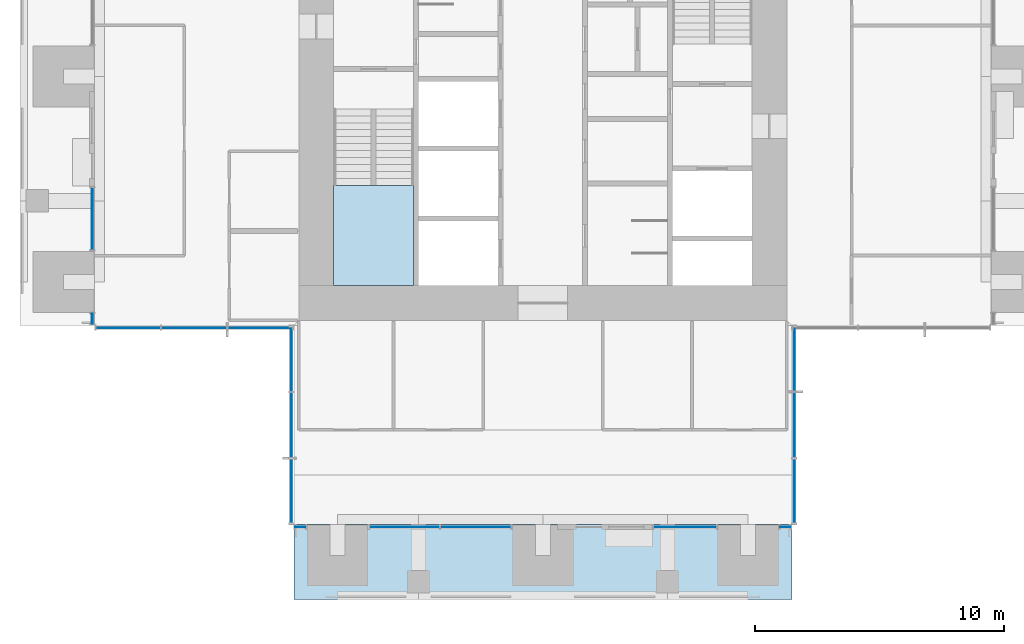
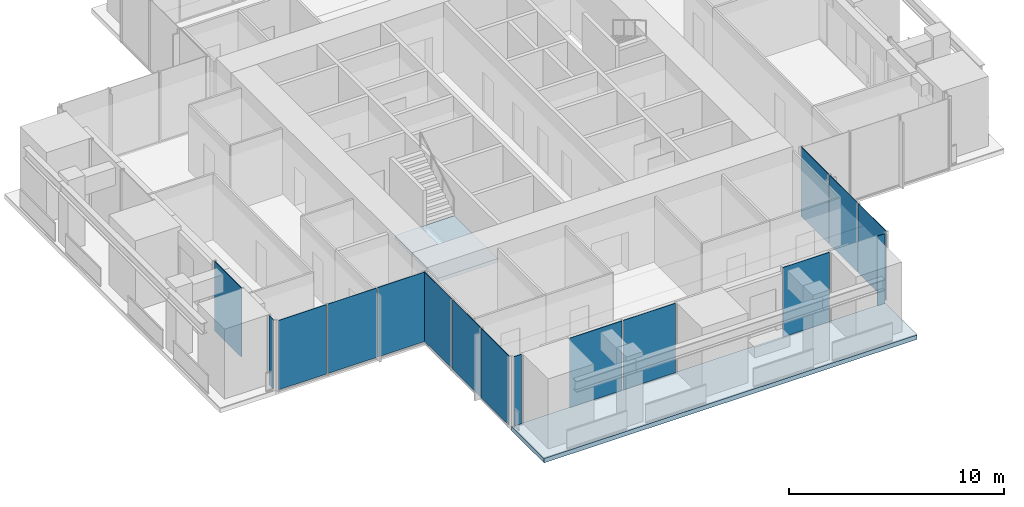
# One storey, part 7 of 17: 16 plates, 2 slabs, 10 elements without a shape of their own.
"""IFC4 building model written with IfcOpenShell, lengths in metres."""

from ifc_helpers import new_model, si_unit, direction, frame, origin, origin_2d, place, context, subcontext, project, spatial, polyline, rectangle, outline, extrude, material, layer, layer_set, type_object, element, aggregate, save


model = new_model("IFC4")

# Units and contexts
model_context = context("Model", 3, precision=1e-05, world=origin(), true_north=direction((0.0, 1.0)))
body_context = subcontext(model_context, "Body", "Model", "MODEL_VIEW")
ifc_project = project(units=[si_unit("LENGTHUNIT", "METRE"), si_unit("AREAUNIT", "SQUARE_METRE"), si_unit("VOLUMEUNIT", "CUBIC_METRE"), si_unit("PLANEANGLEUNIT", "RADIAN"), si_unit("MASSUNIT", "GRAM", prefix="KILO")], contexts=[model_context])

# Site, building, storey
site_placement = place(None, origin())
site = spatial("IfcSite", under=ifc_project, at=site_placement, CompositionType="ELEMENT")
building_placement = place(site_placement, origin())
building = spatial("IfcBuilding", under=site, at=building_placement, Name="Svetlomir Tower", CompositionType="ELEMENT")
storey_placement = place(building_placement, frame((0.0, 0.0, 202.5)))
storey = spatial("IfcBuildingStorey", under=building, at=storey_placement, Name="L48", CompositionType="ELEMENT", Elevation=202.5)

# Curtain wall, plate
ifc_material_1 = material(Name="Bronze anodised aluminium curtain wall", Category="aluminium")
curtain_wall_type = type_object("IfcCurtainWallType", Name="CURTAIN WALL CW1 TOWER OFFICE", PredefinedType="NOTDEFINED", material=ifc_material_1)
curtain_wall_1_placement = place(storey_placement, origin())
curtain_wall_1 = element("IfcCurtainWall", 1, at=curtain_wall_1_placement, inside=storey, type_object=curtain_wall_type, Name="Curtain wall CW1 L48", PredefinedType="NOTDEFINED")
ifc_material_2 = material(Name="Tinted double glazed unit", Category="glass")
ifc_layer_1 = layer(ifc_material_2, 0.031982421875)
ifc_layer_set_1 = layer_set([ifc_layer_1], Name="Tinted double glazed unit")
plate_type = type_object("IfcPlateType", Name="CW1 GLAZED PANEL 32", PredefinedType="CURTAIN_PANEL", material=ifc_layer_set_1)
plate_1_placement = place(storey_placement, frame((11.262451171875, 2.89990234375, 0.06494140625), z_axis=(0.0, 0.0, 1.0), x_axis=(1.0, 0.0, 0.0)))
plate_1 = element("IfcPlate", 2, at=plate_1_placement, type_object=plate_type, Name="CW1 panel 1.1", PredefinedType="CURTAIN_PANEL", context=body_context, shape_type="SweptSolid", body=[
    extrude(rectangle(XDim=0.39501953125, YDim=0.031982421875, at=origin_2d()), origin(), (0.0, 0.0, 1.0), 3.93505859375),
])
aggregate(curtain_wall_1, [plate_1])

# Curtain wall, plates
curtain_wall_2_placement = place(storey_placement, origin())
curtain_wall_2 = element("IfcCurtainWall", 3, at=curtain_wall_2_placement, inside=storey, type_object=curtain_wall_type, Name="Curtain wall CW1 L48", PredefinedType="NOTDEFINED")
plate_2_placement = place(storey_placement, frame((15.441162109375, 2.89990234375, 0.06494140625), z_axis=(0.0, 0.0, 1.0), x_axis=(1.0, 0.0, 0.0)))
plate_2 = element("IfcPlate", 4, at=plate_2_placement, type_object=plate_type, Name="CW1 panel 1.1", PredefinedType="CURTAIN_PANEL", context=body_context, shape_type="SweptSolid", body=[
    extrude(rectangle(XDim=2.802490234375, YDim=0.031982421875, at=origin_2d()), origin(), (0.0, 0.0, 1.0), 3.93505859375),
])
plate_3_placement = place(storey_placement, frame((18.308837890625, 2.89990234375, 0.06494140625), z_axis=(0.0, 0.0, 1.0), x_axis=(1.0, 0.0, 0.0)))
plate_3 = element("IfcPlate", 5, at=plate_3_placement, type_object=plate_type, Name="CW1 panel 2.1", PredefinedType="CURTAIN_PANEL", context=body_context, shape_type="SweptSolid", body=[
    extrude(rectangle(XDim=2.802490234375, YDim=0.031982421875, at=origin_2d()), origin(), (0.0, 0.0, 1.0), 3.93505859375),
])
aggregate(curtain_wall_2, [plate_2, plate_3])

# Curtain wall, plate
curtain_wall_3_placement = place(storey_placement, origin())
curtain_wall_3 = element("IfcCurtainWall", 6, at=curtain_wall_3_placement, inside=storey, type_object=curtain_wall_type, Name="Curtain wall CW1 L48", PredefinedType="NOTDEFINED")
plate_4_placement = place(storey_placement, frame((26.71240234375, 2.89990234375, 0.06494140625), z_axis=(0.0, 0.0, 1.0), x_axis=(1.0, 0.0, 0.0)))
plate_4 = element("IfcPlate", 7, at=plate_4_placement, type_object=plate_type, Name="CW1 panel 1.1", PredefinedType="CURTAIN_PANEL", context=body_context, shape_type="SweptSolid", body=[
    extrude(rectangle(XDim=2.4951171875, YDim=0.031982421875, at=origin_2d()), origin(), (0.0, 0.0, 1.0), 3.93505859375),
])
aggregate(curtain_wall_3, [plate_4])

curtain_wall_4_placement = place(storey_placement, origin())
curtain_wall_4 = element("IfcCurtainWall", 8, at=curtain_wall_4_placement, inside=storey, type_object=curtain_wall_type, Name="Curtain wall CW1 L48", PredefinedType="NOTDEFINED")
plate_5_placement = place(storey_placement, frame((30.737548828125, 2.89990234375, 0.06494140625), z_axis=(0.0, 0.0, 1.0), x_axis=(1.0, 0.0, 0.0)))
plate_5 = element("IfcPlate", 9, at=plate_5_placement, type_object=plate_type, Name="CW1 panel 1.1", PredefinedType="CURTAIN_PANEL", context=body_context, shape_type="SweptSolid", body=[
    extrude(rectangle(XDim=0.39501953125, YDim=0.031982421875, at=origin_2d()), origin(), (0.0, 0.0, 1.0), 3.93505859375),
])
aggregate(curtain_wall_4, [plate_5])

# Curtain wall, plates
curtain_wall_5_placement = place(storey_placement, origin())
curtain_wall_5 = element("IfcCurtainWall", 10, at=curtain_wall_5_placement, inside=storey, type_object=curtain_wall_type, Name="Curtain wall CW1 L48", PredefinedType="NOTDEFINED")
plate_6_placement = place(storey_placement, frame((31.10009765625, 4.349609375, 0.06494140625), z_axis=(0.0, 0.0, 1.0), x_axis=(0.0, 1.0, 0.0)))
plate_6 = element("IfcPlate", 11, at=plate_6_placement, type_object=plate_type, Name="CW1 panel 1.1", PredefinedType="CURTAIN_PANEL", context=body_context, shape_type="SweptSolid", body=[
    extrude(rectangle(XDim=2.569091796875, YDim=0.031982421875, at=origin_2d()), origin(), (0.0, 0.0, 1.0), 3.93505859375),
])
plate_7_placement = place(storey_placement, frame((31.10009765625, 7.0, 0.06494140625), z_axis=(0.0, 0.0, 1.0), x_axis=(0.0, 1.0, 0.0)))
plate_7 = element("IfcPlate", 12, at=plate_7_placement, type_object=plate_type, Name="CW1 panel 2.1", PredefinedType="CURTAIN_PANEL", context=body_context, shape_type="SweptSolid", body=[
    extrude(rectangle(XDim=2.6015625, YDim=0.031982421875, at=origin_2d()), origin(), (0.0, 0.0, 1.0), 3.93505859375),
])
plate_8_placement = place(storey_placement, frame((31.10009765625, 9.650390625, 0.06494140625), z_axis=(0.0, 0.0, 1.0), x_axis=(0.0, 1.0, 0.0)))
plate_8 = element("IfcPlate", 13, at=plate_8_placement, type_object=plate_type, Name="CW1 panel 3.1", PredefinedType="CURTAIN_PANEL", context=body_context, shape_type="SweptSolid", body=[
    extrude(rectangle(XDim=2.569091796875, YDim=0.031982421875, at=origin_2d()), origin(), (0.0, 0.0, 1.0), 3.93505859375),
])
aggregate(curtain_wall_5, [plate_6, plate_7, plate_8])

# Curtain wall, plate
curtain_wall_6_placement = place(storey_placement, origin())
curtain_wall_6 = element("IfcCurtainWall", 14, at=curtain_wall_6_placement, inside=storey, type_object=curtain_wall_type, Name="Curtain wall CW1 L48", PredefinedType="NOTDEFINED")
plate_9_placement = place(storey_placement, frame((2.89990234375, 15.28759765625, 0.06494140625), z_axis=(0.0, 0.0, 1.0), x_axis=(0.0, -1.0, 0.0)))
plate_9 = element("IfcPlate", 15, at=plate_9_placement, type_object=plate_type, Name="CW1 panel 1.1", PredefinedType="CURTAIN_PANEL", context=body_context, shape_type="SweptSolid", body=[
    extrude(rectangle(XDim=2.4951171875, YDim=0.031982421875, at=origin_2d()), origin(), (0.0, 0.0, 1.0), 3.93505859375),
])
aggregate(curtain_wall_6, [plate_9])

curtain_wall_7_placement = place(storey_placement, origin())
curtain_wall_7 = element("IfcCurtainWall", 16, at=curtain_wall_7_placement, inside=storey, type_object=curtain_wall_type, Name="Curtain wall CW1 L48", PredefinedType="NOTDEFINED")
plate_10_placement = place(storey_placement, frame((2.89990234375, 11.262451171875, 0.06494140625), z_axis=(0.0, 0.0, 1.0), x_axis=(0.0, -1.0, 0.0)))
plate_10 = element("IfcPlate", 17, at=plate_10_placement, type_object=plate_type, Name="CW1 panel 1.1", PredefinedType="CURTAIN_PANEL", context=body_context, shape_type="SweptSolid", body=[
    extrude(rectangle(XDim=0.39501953125, YDim=0.031982421875, at=origin_2d()), origin(), (0.0, 0.0, 1.0), 3.93505859375),
])
aggregate(curtain_wall_7, [plate_10])

# Curtain wall, plates
curtain_wall_8_placement = place(storey_placement, origin())
curtain_wall_8 = element("IfcCurtainWall", 18, at=curtain_wall_8_placement, inside=storey, type_object=curtain_wall_type, Name="Curtain wall CW1 L48", PredefinedType="NOTDEFINED")
plate_11_placement = place(storey_placement, frame((4.349609375, 10.89990234375, 0.06494140625), z_axis=(0.0, 0.0, 1.0), x_axis=(1.0, 0.0, 0.0)))
plate_11 = element("IfcPlate", 19, at=plate_11_placement, type_object=plate_type, Name="CW1 panel 1.1", PredefinedType="CURTAIN_PANEL", context=body_context, shape_type="SweptSolid", body=[
    extrude(rectangle(XDim=2.569091796875, YDim=0.031982421875, at=origin_2d()), origin(), (0.0, 0.0, 1.0), 3.93505859375),
])
plate_12_placement = place(storey_placement, frame((7.0, 10.89990234375, 0.06494140625), z_axis=(0.0, 0.0, 1.0), x_axis=(1.0, 0.0, 0.0)))
plate_12 = element("IfcPlate", 20, at=plate_12_placement, type_object=plate_type, Name="CW1 panel 2.1", PredefinedType="CURTAIN_PANEL", context=body_context, shape_type="SweptSolid", body=[
    extrude(rectangle(XDim=2.6015625, YDim=0.031982421875, at=origin_2d()), origin(), (0.0, 0.0, 1.0), 3.93505859375),
])
plate_13_placement = place(storey_placement, frame((9.650390625, 10.89990234375, 0.06494140625), z_axis=(0.0, 0.0, 1.0), x_axis=(1.0, 0.0, 0.0)))
plate_13 = element("IfcPlate", 21, at=plate_13_placement, type_object=plate_type, Name="CW1 panel 3.1", PredefinedType="CURTAIN_PANEL", context=body_context, shape_type="SweptSolid", body=[
    extrude(rectangle(XDim=2.569091796875, YDim=0.031982421875, at=origin_2d()), origin(), (0.0, 0.0, 1.0), 3.93505859375),
])
aggregate(curtain_wall_8, [plate_11, plate_12, plate_13])

curtain_wall_9_placement = place(storey_placement, origin())
curtain_wall_9 = element("IfcCurtainWall", 22, at=curtain_wall_9_placement, inside=storey, type_object=curtain_wall_type, Name="Curtain wall CW1 L48", PredefinedType="NOTDEFINED")
plate_14_placement = place(storey_placement, frame((10.89990234375, 9.650390625, 0.06494140625), z_axis=(0.0, 0.0, 1.0), x_axis=(0.0, -1.0, 0.0)))
plate_14 = element("IfcPlate", 23, at=plate_14_placement, type_object=plate_type, Name="CW1 panel 1.1", PredefinedType="CURTAIN_PANEL", context=body_context, shape_type="SweptSolid", body=[
    extrude(rectangle(XDim=2.569091796875, YDim=0.031982421875, at=origin_2d()), origin(), (0.0, 0.0, 1.0), 3.93505859375),
])
plate_15_placement = place(storey_placement, frame((10.89990234375, 7.0, 0.06494140625), z_axis=(0.0, 0.0, 1.0), x_axis=(0.0, -1.0, 0.0)))
plate_15 = element("IfcPlate", 24, at=plate_15_placement, type_object=plate_type, Name="CW1 panel 2.1", PredefinedType="CURTAIN_PANEL", context=body_context, shape_type="SweptSolid", body=[
    extrude(rectangle(XDim=2.6015625, YDim=0.031982421875, at=origin_2d()), origin(), (0.0, 0.0, 1.0), 3.93505859375),
])
plate_16_placement = place(storey_placement, frame((10.89990234375, 4.349609375, 0.06494140625), z_axis=(0.0, 0.0, 1.0), x_axis=(0.0, -1.0, 0.0)))
plate_16 = element("IfcPlate", 25, at=plate_16_placement, type_object=plate_type, Name="CW1 panel 3.1", PredefinedType="CURTAIN_PANEL", context=body_context, shape_type="SweptSolid", body=[
    extrude(rectangle(XDim=2.569091796875, YDim=0.031982421875, at=origin_2d()), origin(), (0.0, 0.0, 1.0), 3.93505859375),
])
aggregate(curtain_wall_9, [plate_14, plate_15, plate_16])

# Slab
ifc_material_3 = material(Name="Concrete C60/75", Category="concrete")
ifc_layer_2 = layer(ifc_material_3, 0.25)
ifc_layer_set_2 = layer_set([ifc_layer_2], Name="Concrete C60/75")
slab_type_1 = type_object("IfcSlabType", Name="PLANTED LOGGIA SLAB 250", PredefinedType="FLOOR", material=ifc_layer_set_2)
slab_1_placement = place(storey_placement, frame((0.0, 0.0, -0.25)))
element("IfcSlab", 26, at=slab_1_placement, inside=storey, type_object=slab_type_1, Name="L48 S planted loggia", PredefinedType="FLOOR", context=body_context, shape_type="SweptSolid", body=[
    extrude(outline(polyline([(11.0, 0.0), (31.0, 0.0), (31.0, 3.0), (11.0, 3.0), (11.0, 0.0)])), origin(), (0.0, 0.0, 1.0), 0.25),
])

# Stair, slab
ifc_material_4 = material(Name="Concrete C60/75", Category="concrete")
stair_type = type_object("IfcStairType", Name="EXIT STAIR 3200 RISE 4000", PredefinedType="HALF_TURN_STAIR", material=ifc_material_4)
stair_placement = place(storey_placement, origin())
stair = element("IfcStair", 27, at=stair_placement, inside=storey, type_object=stair_type, Name="Stair S1 L48 to L49", PredefinedType="HALF_TURN_STAIR")
ifc_material_5 = material(Name="Concrete C60/75", Category="concrete")
ifc_layer_3 = layer(ifc_material_5, 0.199951171875)
ifc_layer_set_3 = layer_set([ifc_layer_3], Name="Concrete C60/75")
slab_type_2 = type_object("IfcSlabType", Name="STAIR LANDING 200", PredefinedType="LANDING", material=ifc_layer_set_3)
slab_2_placement = place(storey_placement, frame((0.0, 0.0, 1.800048828125)))
slab_2 = element("IfcSlab", 28, at=slab_2_placement, type_object=slab_type_2, Name="S1 landing 1", PredefinedType="LANDING", context=body_context, shape_type="SweptSolid", body=[
    extrude(outline(polyline([(12.60009765625, 12.60009765625), (15.800048828125, 12.60009765625), (15.800048828125, 16.6201171875), (12.60009765625, 16.6201171875), (12.60009765625, 12.60009765625)])), origin(), (0.0, 0.0, 1.0), 0.199951171875),
])
aggregate(stair, [slab_2])

save(model, "model.ifc")
